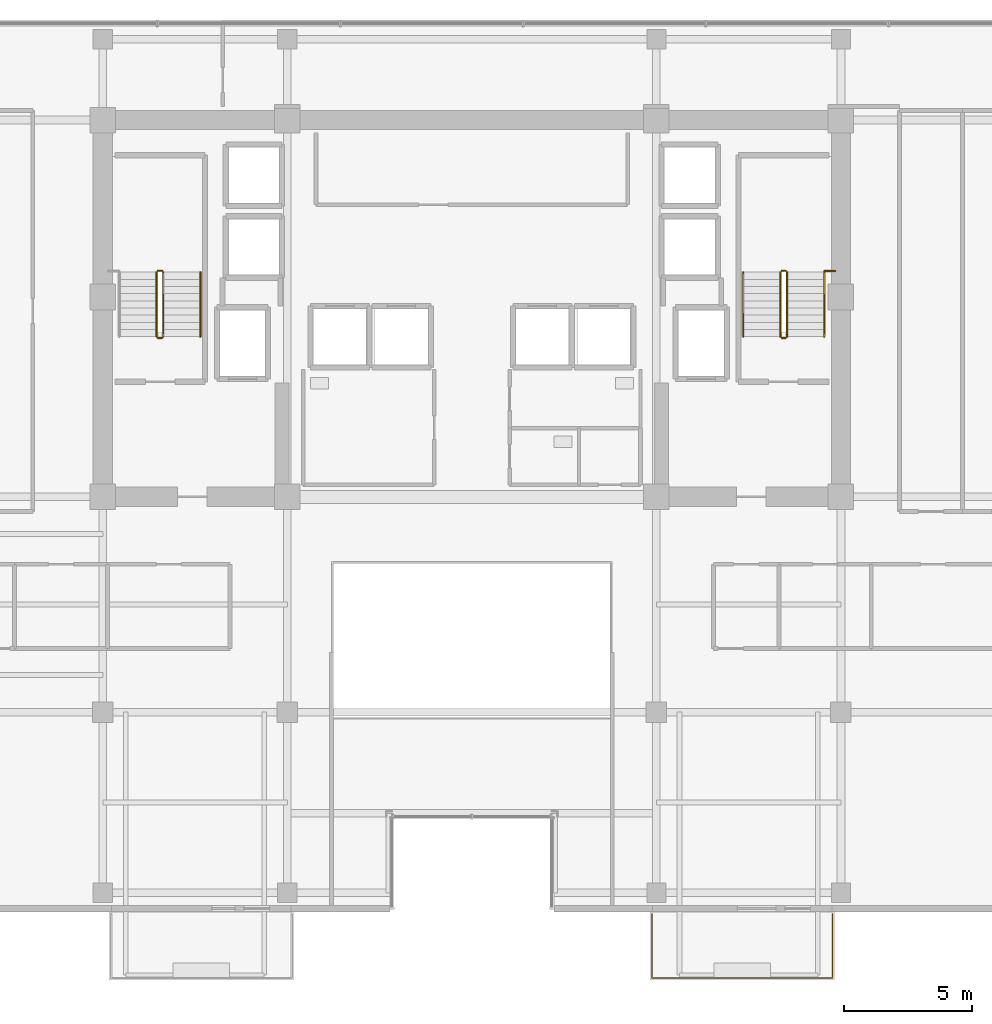
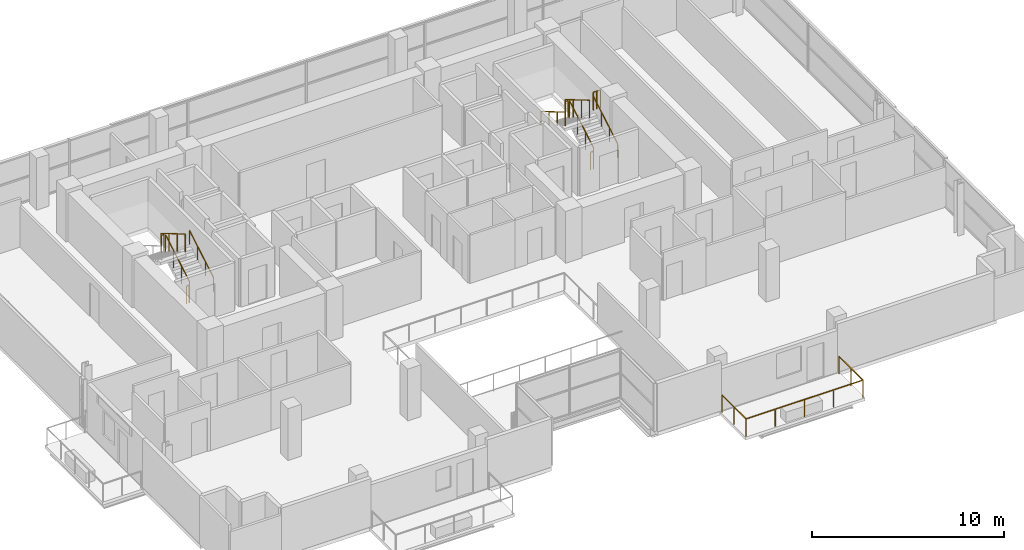
# One storey, part 20 of 21: 13 railings.
"""IFC4 building model written with IfcOpenShell, lengths in metres."""

from ifc_helpers import new_model, si_unit, direction, frame, origin, origin_2d, place, context, subcontext, project, spatial, rectangle, extrude, material, type_object, element, save


model = new_model("IFC4")

# Units and contexts
model_context = context("Model", 3, precision=1e-05, world=origin(), true_north=direction((0.0, 1.0)))
body_context = subcontext(model_context, "Body", "Model", "MODEL_VIEW")
ifc_project = project(units=[si_unit("LENGTHUNIT", "METRE"), si_unit("AREAUNIT", "SQUARE_METRE"), si_unit("VOLUMEUNIT", "CUBIC_METRE"), si_unit("PLANEANGLEUNIT", "RADIAN"), si_unit("MASSUNIT", "GRAM", prefix="KILO")], contexts=[model_context])

# Site, building, storey
site_placement = place(None, origin())
site = spatial("IfcSite", under=ifc_project, at=site_placement, CompositionType="ELEMENT")
building_placement = place(site_placement, origin())
building = spatial("IfcBuilding", under=site, at=building_placement, Name="Zarnakvel Exchange Tower", CompositionType="ELEMENT")
storey_placement = place(building_placement, frame((0.0, 0.0, 185.800048828125)))
storey = spatial("IfcBuildingStorey", under=building, at=storey_placement, Name="L52", CompositionType="ELEMENT", Elevation=185.800048828125)

# Railings
ifc_material_1 = material(Name="Architectural Bronze Anodised Aluminium", Category="aluminium")
railing_type_1 = type_object("IfcRailingType", Name="GR-02", PredefinedType="GUARDRAIL", material=ifc_material_1)
railing_1_placement = place(storey_placement, frame((7.030029296875, -17.47998046875, -0.03515625)))
element("IfcRailing", 1, at=railing_1_placement, inside=storey, type_object=railing_type_1, Name="L52 Balcony Guardrail BAL-L52-SE", PredefinedType="GUARDRAIL", context=body_context, shape_type="SweptSolid", body=[
    extrude(rectangle(XDim=0.048095703125, YDim=0.048095703125, at=origin_2d()), frame((0.0, 0.0, 1.09619140625), z_axis=(0.0, -1.0, 0.0), x_axis=(1.0, 0.0, 0.0)), (0.0, 0.0, 1.0), 2.489990234375),
    extrude(rectangle(XDim=0.048095703125, YDim=0.048095703125, at=origin_2d()), frame((0.0, -2.489990234375, 1.09619140625), z_axis=(1.0, 0.0, 0.0), x_axis=(0.0, 1.0, 0.0)), (0.0, 0.0, 1.0), 7.0400390625),
    extrude(rectangle(XDim=0.048095703125, YDim=0.048095703125, at=origin_2d()), frame((7.0400390625, -2.489990234375, 1.09619140625), z_axis=(0.0, 1.0, 0.0), x_axis=(-1.0, 0.0, 0.0)), (0.0, 0.0, 1.0), 2.489990234375),
    extrude(rectangle(XDim=0.0419921875, YDim=0.0419921875, at=origin_2d()), origin(), (0.0, 0.0, 1.0), 1.072021484375),
    extrude(rectangle(XDim=0.0419921875, YDim=0.0419921875, at=origin_2d()), frame((0.0, -1.2451171875, 0.0)), (0.0, 0.0, 1.0), 1.072021484375),
    extrude(rectangle(XDim=0.0419921875, YDim=0.0419921875, at=origin_2d()), frame((0.0, -2.489990234375, 0.0)), (0.0, 0.0, 1.0), 1.072021484375),
    extrude(rectangle(XDim=0.0419921875, YDim=0.0419921875, at=origin_2d()), frame((1.760009765625, -2.489990234375, 0.0)), (0.0, 0.0, 1.0), 1.072021484375),
    extrude(rectangle(XDim=0.0419921875, YDim=0.0419921875, at=origin_2d()), frame((3.52001953125, -2.489990234375, 0.0)), (0.0, 0.0, 1.0), 1.072021484375),
    extrude(rectangle(XDim=0.0419921875, YDim=0.0419921875, at=origin_2d()), frame((5.280029296875, -2.489990234375, 0.0)), (0.0, 0.0, 1.0), 1.072021484375),
    extrude(rectangle(XDim=0.0419921875, YDim=0.0419921875, at=origin_2d()), frame((7.0400390625, -2.489990234375, 0.0)), (0.0, 0.0, 1.0), 1.072021484375),
    extrude(rectangle(XDim=0.0419921875, YDim=0.0419921875, at=origin_2d()), frame((7.0400390625, -1.2451171875, 0.0)), (0.0, 0.0, 1.0), 1.072021484375),
    extrude(rectangle(XDim=0.0419921875, YDim=0.0419921875, at=origin_2d()), frame((7.0400390625, 0.0, 0.0)), (0.0, 0.0, 1.0), 1.072021484375),
])
ifc_material_2 = material(Name="Brushed Stainless Steel", Category="steel")
railing_type_2 = type_object("IfcRailingType", Name="HR-01", PredefinedType="HANDRAIL", material=ifc_material_2)
for number, where, name in (
    (2, (-10.590087890625, 5.050048828125, 0.1650390625), "L52 ST-01 stair handrail 1"),
    (3, (13.75, 5.050048828125, 0.1650390625), "L52 ST-02 stair handrail 1"),
):
    element("IfcRailing", number, at=place(storey_placement, frame(where)), inside=storey, type_object=railing_type_2, Name=name, PredefinedType="HANDRAIL", context=body_context, shape_type="SweptSolid", body=[
        extrude(rectangle(XDim=0.048095703125, YDim=0.048095703125, at=origin_2d()), frame((0.0, 0.0, 0.8759765625), z_axis=(0.0, 0.861560626758, 0.507654692109), x_axis=(-1.0, 0.0, 0.0)), (0.0, 0.0, 1.0), 2.925048828125),
        extrude(rectangle(XDim=0.0419921875, YDim=0.0419921875, at=origin_2d()), origin(), (0.0, 0.0, 1.0), 0.851806640625),
        extrude(rectangle(XDim=0.0419921875, YDim=0.0419921875, at=origin_2d()), frame((0.0, 0.840087890625, 0.494873046875)), (0.0, 0.0, 1.0), 0.851806640625),
        extrude(rectangle(XDim=0.0419921875, YDim=0.0419921875, at=origin_2d()), frame((0.0, 1.679931640625, 0.989990234375)), (0.0, 0.0, 1.0), 0.851806640625),
        extrude(rectangle(XDim=0.0419921875, YDim=0.0419921875, at=origin_2d()), frame((0.0, 2.52001953125, 1.48486328125)), (0.0, 0.0, 1.0), 0.851806640625),
    ])
railing_2_placement = place(storey_placement, frame((10.590087890625, 7.570068359375, 1.81494140625)))
element("IfcRailing", 4, at=railing_2_placement, inside=storey, type_object=railing_type_2, Name="L52 ST-02 stair handrail 2", PredefinedType="HANDRAIL", context=body_context, shape_type="SweptSolid", body=[
    extrude(rectangle(XDim=0.048095703125, YDim=0.048095703125, at=origin_2d()), frame((0.0, 0.0, 0.8759765625), z_axis=(0.0, -0.86152411907, 0.507716645641), x_axis=(1.0, 0.0, 0.0)), (0.0, 0.0, 1.0), 2.925048828125),
    extrude(rectangle(XDim=0.0419921875, YDim=0.0419921875, at=origin_2d()), origin(), (0.0, 0.0, 1.0), 0.851806640625),
    extrude(rectangle(XDim=0.0419921875, YDim=0.0419921875, at=origin_2d()), frame((0.0, -0.840087890625, 0.4951171875)), (0.0, 0.0, 1.0), 0.851806640625),
    extrude(rectangle(XDim=0.0419921875, YDim=0.0419921875, at=origin_2d()), frame((0.0, -1.679931640625, 0.989990234375)), (0.0, 0.0, 1.0), 0.851806640625),
    extrude(rectangle(XDim=0.0419921875, YDim=0.0419921875, at=origin_2d()), frame((0.0, -2.52001953125, 1.485107421875)), (0.0, 0.0, 1.0), 0.851806640625),
])
railing_type_3 = type_object("IfcRailingType", Name="SG-01", PredefinedType="GUARDRAIL", material=ifc_material_1)
railing_3_placement = place(storey_placement, frame((-12.0400390625, 5.050048828125, 0.1650390625)))
element("IfcRailing", 5, at=railing_3_placement, inside=storey, type_object=railing_type_3, Name="L52 ST-01 stair guard 1", PredefinedType="GUARDRAIL", context=body_context, shape_type="SweptSolid", body=[
    extrude(rectangle(XDim=0.048095703125, YDim=0.048095703125, at=origin_2d()), frame((0.0, 0.0, 1.1259765625), z_axis=(0.0, 0.861560626758, 0.507654692109), x_axis=(-1.0, 0.0, 0.0)), (0.0, 0.0, 1.0), 2.925048828125),
    extrude(rectangle(XDim=0.0419921875, YDim=0.0419921875, at=origin_2d()), origin(), (0.0, 0.0, 1.0), 1.101806640625),
    extrude(rectangle(XDim=0.0419921875, YDim=0.0419921875, at=origin_2d()), frame((0.0, 0.840087890625, 0.494873046875)), (0.0, 0.0, 1.0), 1.101806640625),
    extrude(rectangle(XDim=0.0419921875, YDim=0.0419921875, at=origin_2d()), frame((0.0, 1.679931640625, 0.989990234375)), (0.0, 0.0, 1.0), 1.101806640625),
    extrude(rectangle(XDim=0.0419921875, YDim=0.0419921875, at=origin_2d()), frame((0.0, 2.52001953125, 1.48486328125)), (0.0, 0.0, 1.0), 1.101806640625),
])
railing_4_placement = place(storey_placement, frame((-12.090087890625, 7.6201171875, 1.64990234375)))
element("IfcRailing", 6, at=railing_4_placement, inside=storey, type_object=railing_type_3, Name="L52 ST-01 stair guard 2", PredefinedType="GUARDRAIL", context=body_context, shape_type="SweptSolid", body=[
    extrude(rectangle(XDim=0.048095703125, YDim=0.048095703125, at=origin_2d()), frame((0.0, 0.0, 1.1259765625), z_axis=(-1.0, 0.0, 0.0), x_axis=(0.0, -1.0, 0.0)), (0.0, 0.0, 1.0), 0.159912109375),
    extrude(rectangle(XDim=0.0419921875, YDim=0.0419921875, at=origin_2d()), origin(), (0.0, 0.0, 1.0), 1.101806640625),
    extrude(rectangle(XDim=0.0419921875, YDim=0.0419921875, at=origin_2d()), frame((-0.159912109375, 0.0, 0.0)), (0.0, 0.0, 1.0), 1.101806640625),
])
railing_5_placement = place(storey_placement, frame((-12.300048828125, 7.570068359375, 1.81494140625)))
element("IfcRailing", 7, at=railing_5_placement, inside=storey, type_object=railing_type_3, Name="L52 ST-01 stair guard 3", PredefinedType="GUARDRAIL", context=body_context, shape_type="SweptSolid", body=[
    extrude(rectangle(XDim=0.048095703125, YDim=0.048095703125, at=origin_2d()), frame((0.0, 0.0, 1.1259765625), z_axis=(0.0, -0.86152411907, 0.507716645641), x_axis=(1.0, 0.0, 0.0)), (0.0, 0.0, 1.0), 2.925048828125),
    extrude(rectangle(XDim=0.0419921875, YDim=0.0419921875, at=origin_2d()), origin(), (0.0, 0.0, 1.0), 1.101806640625),
    extrude(rectangle(XDim=0.0419921875, YDim=0.0419921875, at=origin_2d()), frame((0.0, -0.840087890625, 0.4951171875)), (0.0, 0.0, 1.0), 1.101806640625),
    extrude(rectangle(XDim=0.0419921875, YDim=0.0419921875, at=origin_2d()), frame((0.0, -1.679931640625, 0.989990234375)), (0.0, 0.0, 1.0), 1.101806640625),
    extrude(rectangle(XDim=0.0419921875, YDim=0.0419921875, at=origin_2d()), frame((0.0, -2.52001953125, 1.485107421875)), (0.0, 0.0, 1.0), 1.101806640625),
])
railing_6_placement = place(storey_placement, frame((-12.090087890625, 5.0, 0.0)))
element("IfcRailing", 8, at=railing_6_placement, inside=storey, type_object=railing_type_3, Name="L52 ST-01 stair guard 4", PredefinedType="GUARDRAIL", context=body_context, shape_type="SweptSolid", body=[
    extrude(rectangle(XDim=0.048095703125, YDim=0.048095703125, at=origin_2d()), frame((0.0, 0.0, 1.1259765625), z_axis=(-1.0, 0.0, 0.0), x_axis=(0.0, -1.0, 0.0)), (0.0, 0.0, 1.0), 0.159912109375),
    extrude(rectangle(XDim=0.0419921875, YDim=0.0419921875, at=origin_2d()), origin(), (0.0, 0.0, 1.0), 1.101806640625),
    extrude(rectangle(XDim=0.0419921875, YDim=0.0419921875, at=origin_2d()), frame((-0.159912109375, 0.0, 0.0)), (0.0, 0.0, 1.0), 1.101806640625),
])
railing_7_placement = place(storey_placement, frame((12.300048828125, 5.050048828125, 0.1650390625)))
element("IfcRailing", 9, at=railing_7_placement, inside=storey, type_object=railing_type_3, Name="L52 ST-02 stair guard 1", PredefinedType="GUARDRAIL", context=body_context, shape_type="SweptSolid", body=[
    extrude(rectangle(XDim=0.048095703125, YDim=0.048095703125, at=origin_2d()), frame((0.0, 0.0, 1.1259765625), z_axis=(0.0, 0.861560626758, 0.507654692109), x_axis=(-1.0, 0.0, 0.0)), (0.0, 0.0, 1.0), 2.925048828125),
    extrude(rectangle(XDim=0.0419921875, YDim=0.0419921875, at=origin_2d()), origin(), (0.0, 0.0, 1.0), 1.101806640625),
    extrude(rectangle(XDim=0.0419921875, YDim=0.0419921875, at=origin_2d()), frame((0.0, 0.840087890625, 0.494873046875)), (0.0, 0.0, 1.0), 1.101806640625),
    extrude(rectangle(XDim=0.0419921875, YDim=0.0419921875, at=origin_2d()), frame((0.0, 1.679931640625, 0.989990234375)), (0.0, 0.0, 1.0), 1.101806640625),
    extrude(rectangle(XDim=0.0419921875, YDim=0.0419921875, at=origin_2d()), frame((0.0, 2.52001953125, 1.48486328125)), (0.0, 0.0, 1.0), 1.101806640625),
])
railing_8_placement = place(storey_placement, frame((12.25, 7.6201171875, 1.64990234375)))
element("IfcRailing", 10, at=railing_8_placement, inside=storey, type_object=railing_type_3, Name="L52 ST-02 stair guard 2", PredefinedType="GUARDRAIL", context=body_context, shape_type="SweptSolid", body=[
    extrude(rectangle(XDim=0.048095703125, YDim=0.048095703125, at=origin_2d()), frame((0.0, 0.0, 1.1259765625), z_axis=(-1.0, 0.0, 0.0), x_axis=(0.0, -1.0, 0.0)), (0.0, 0.0, 1.0), 0.159912109375),
    extrude(rectangle(XDim=0.0419921875, YDim=0.0419921875, at=origin_2d()), origin(), (0.0, 0.0, 1.0), 1.101806640625),
    extrude(rectangle(XDim=0.0419921875, YDim=0.0419921875, at=origin_2d()), frame((-0.159912109375, 0.0, 0.0)), (0.0, 0.0, 1.0), 1.101806640625),
])
railing_9_placement = place(storey_placement, frame((12.0400390625, 7.570068359375, 1.81494140625)))
element("IfcRailing", 11, at=railing_9_placement, inside=storey, type_object=railing_type_3, Name="L52 ST-02 stair guard 3", PredefinedType="GUARDRAIL", context=body_context, shape_type="SweptSolid", body=[
    extrude(rectangle(XDim=0.048095703125, YDim=0.048095703125, at=origin_2d()), frame((0.0, 0.0, 1.1259765625), z_axis=(0.0, -0.86152411907, 0.507716645641), x_axis=(1.0, 0.0, 0.0)), (0.0, 0.0, 1.0), 2.925048828125),
    extrude(rectangle(XDim=0.0419921875, YDim=0.0419921875, at=origin_2d()), origin(), (0.0, 0.0, 1.0), 1.101806640625),
    extrude(rectangle(XDim=0.0419921875, YDim=0.0419921875, at=origin_2d()), frame((0.0, -0.840087890625, 0.4951171875)), (0.0, 0.0, 1.0), 1.101806640625),
    extrude(rectangle(XDim=0.0419921875, YDim=0.0419921875, at=origin_2d()), frame((0.0, -1.679931640625, 0.989990234375)), (0.0, 0.0, 1.0), 1.101806640625),
    extrude(rectangle(XDim=0.0419921875, YDim=0.0419921875, at=origin_2d()), frame((0.0, -2.52001953125, 1.485107421875)), (0.0, 0.0, 1.0), 1.101806640625),
])
railing_10_placement = place(storey_placement, frame((12.25, 5.0, 0.0)))
element("IfcRailing", 12, at=railing_10_placement, inside=storey, type_object=railing_type_3, Name="L52 ST-02 stair guard 4", PredefinedType="GUARDRAIL", context=body_context, shape_type="SweptSolid", body=[
    extrude(rectangle(XDim=0.048095703125, YDim=0.048095703125, at=origin_2d()), frame((0.0, 0.0, 1.1259765625), z_axis=(-1.0, 0.0, 0.0), x_axis=(0.0, -1.0, 0.0)), (0.0, 0.0, 1.0), 0.159912109375),
    extrude(rectangle(XDim=0.0419921875, YDim=0.0419921875, at=origin_2d()), origin(), (0.0, 0.0, 1.0), 1.101806640625),
    extrude(rectangle(XDim=0.0419921875, YDim=0.0419921875, at=origin_2d()), frame((-0.159912109375, 0.0, 0.0)), (0.0, 0.0, 1.0), 1.101806640625),
])
railing_11_placement = place(storey_placement, frame((13.75, 7.610107421875, 1.64990234375)))
element("IfcRailing", 13, at=railing_11_placement, inside=storey, type_object=railing_type_3, Name="L52 ST-02 Landing Slot Guardrail", PredefinedType="GUARDRAIL", context=body_context, shape_type="SweptSolid", body=[
    extrude(rectangle(XDim=0.048095703125, YDim=0.048095703125, at=origin_2d()), frame((0.0, 0.0, 1.1259765625), z_axis=(1.0, 0.0, 0.0), x_axis=(0.0, 1.0, 0.0)), (0.0, 0.0, 1.0), 0.429931640625),
    extrude(rectangle(XDim=0.0419921875, YDim=0.0419921875, at=origin_2d()), origin(), (0.0, 0.0, 1.0), 1.101806640625),
    extrude(rectangle(XDim=0.0419921875, YDim=0.0419921875, at=origin_2d()), frame((0.21484375, 0.0, 0.0)), (0.0, 0.0, 1.0), 1.101806640625),
    extrude(rectangle(XDim=0.0419921875, YDim=0.0419921875, at=origin_2d()), frame((0.429931640625, 0.0, 0.0)), (0.0, 0.0, 1.0), 1.101806640625),
])

save(model, "model.ifc")
